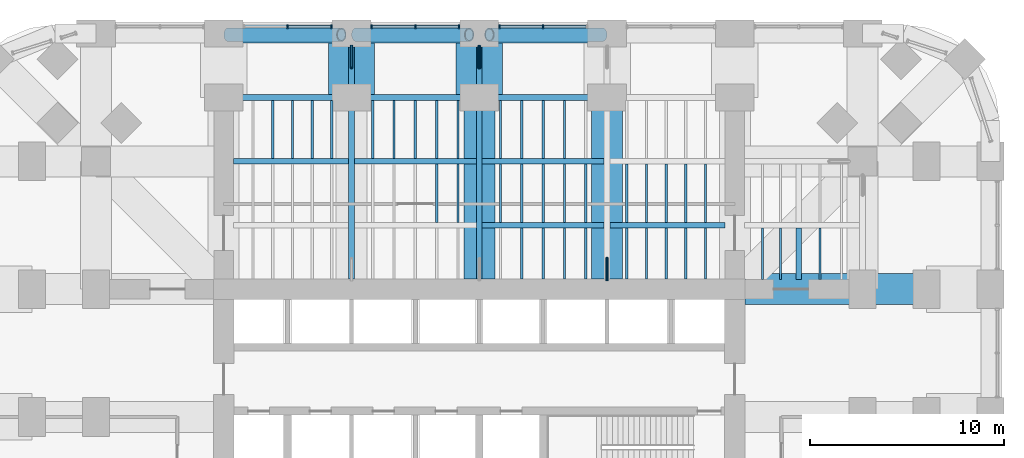
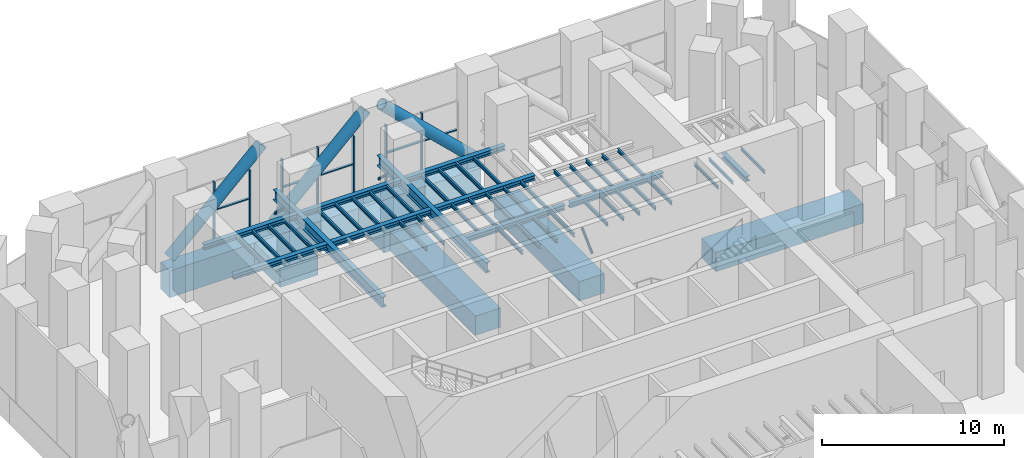
# One storey, part 8 of 17: 56 beams, 18 members, 3 elements without a shape of their own.
"""IFC4 building model written with IfcOpenShell, lengths in metres."""

from ifc_helpers import new_model, si_unit, direction, frame, origin, origin_2d, place, context, subcontext, project, spatial, rectangle, hollow_circle, i_section, extrude, material, material_profile, profile_set, type_object, element, aggregate, save


model = new_model("IFC4")

# Units and contexts
model_context = context("Model", 3, precision=1e-05, world=origin(), true_north=direction((0.0, 1.0)))
body_context = subcontext(model_context, "Body", "Model", "MODEL_VIEW")
ifc_project = project(units=[si_unit("LENGTHUNIT", "METRE"), si_unit("AREAUNIT", "SQUARE_METRE"), si_unit("VOLUMEUNIT", "CUBIC_METRE"), si_unit("PLANEANGLEUNIT", "RADIAN"), si_unit("MASSUNIT", "GRAM", prefix="KILO")], contexts=[model_context])

# Site, building, storey
site_placement = place(None, origin())
site = spatial("IfcSite", under=ifc_project, at=site_placement, CompositionType="ELEMENT")
building_placement = place(site_placement, origin())
building = spatial("IfcBuilding", under=site, at=building_placement, Name="Cobogo Forest Laboratory Tower", CompositionType="ELEMENT")
storey_placement = place(building_placement, frame((0.0, 0.0, 75.89990234375)))
storey = spatial("IfcBuildingStorey", under=building, at=storey_placement, Name="L17", CompositionType="ELEMENT", Elevation=75.89990234375)

# Members
ifc_material_1 = material(Name="Steel S460NH", Category="steel")
ifc_material_profile_1 = material_profile(ifc_material_1, hollow_circle(Radius=0.35546875, WallThickness=0.06005859375, at=origin_2d()), Name="CHS 711x60")
ifc_profile_set_1 = profile_set([ifc_material_profile_1], Name="Steel S460NH")
member_type_1 = type_object("IfcMemberType", Name="Belt truss diagonal CHS 711x60", PredefinedType="BRACE", material=ifc_profile_set_1)
for number, where, z_axis, x_axis, name in (
    (1, (13.449951171875, 46.139892578125, 0.23876953125), (0.723363796511, 0.0, 0.690467101242), (0.0, 1.0, 0.0), "BT1 belt truss diagonal N14 L17"),
    (2, (20.050048828125, 46.139892578125, 0.23876953125), (0.723349354665, 0.0, 0.69048223084), (0.0, 1.0, 0.0), "BT1 belt truss diagonal N15 L17"),
    (3, (32.75, 46.139892578125, 0.23876953125), (-0.723363796511, 0.0, 0.690467101242), (0.0, -1.0, 0.0), "BT1 belt truss diagonal N16 L17"),
):
    element("IfcMember", number, at=place(storey_placement, frame(where, z_axis=z_axis, x_axis=x_axis)), inside=storey, type_object=member_type_1, Name=name, PredefinedType="BRACE", context=body_context, shape_type="SweptSolid", body=[
        extrude(hollow_circle(Radius=0.35546875, WallThickness=0.06005859375, at=origin_2d()), origin(), (0.0, 0.0, 1.0), 8.0595703125),
    ])

# Curtain wall, members
ifc_material_2 = material(Name="Aluminium curtain wall", Category="aluminium")
curtain_wall_type = type_object("IfcCurtainWallType", Name="CW-P louvred curtain wall, plant floors", PredefinedType="USERDEFINED", material=ifc_material_2)
curtain_wall_1_placement = place(storey_placement, origin())
curtain_wall_1 = element("IfcCurtainWall", 4, at=curtain_wall_1_placement, inside=storey, type_object=curtain_wall_type, Name="Curtain wall 20 L17", ObjectType="LOUVRED CURTAIN WALL", PredefinedType="USERDEFINED")
ifc_material_3 = material(Name="Aluminium mullion", Category="aluminium")
ifc_material_profile_2 = material_profile(ifc_material_3, rectangle(XDim=0.080078125, YDim=0.199951171875, at=origin_2d()), Name="AL 80x200")
ifc_profile_set_2 = profile_set([ifc_material_profile_2], Name="Aluminium mullion")
member_type_2 = type_object("IfcMemberType", Name="MU-3 aluminium louvre mullion 80x200", PredefinedType="MULLION", material=ifc_profile_set_2)
member_1_placement = place(storey_placement, frame((29.699951171875, 46.550048828125, 0.0), z_axis=(0.0, 0.0, 1.0), x_axis=(-1.0, 0.0, 0.0)))
member_1 = element("IfcMember", 5, at=member_1_placement, type_object=member_type_2, Name="CW-P mullion 2", PredefinedType="MULLION", context=body_context, shape_type="SweptSolid", body=[
    extrude(rectangle(XDim=0.080078125, YDim=0.199951171875, at=origin_2d()), origin(), (0.0, 0.0, 1.0), 4.0),
])
member_2_placement = place(storey_placement, frame((27.43994140625, 46.550048828125, 0.0), z_axis=(0.0, 0.0, 1.0), x_axis=(-1.0, 0.0, 0.0)))
member_2 = element("IfcMember", 6, at=member_2_placement, type_object=member_type_2, Name="CW-P mullion 3", PredefinedType="MULLION", context=body_context, shape_type="SweptSolid", body=[
    extrude(rectangle(XDim=0.080078125, YDim=0.199951171875, at=origin_2d()), origin(), (0.0, 0.0, 1.0), 4.0),
])

curtain_wall_2_placement = place(storey_placement, origin())
curtain_wall_2 = element("IfcCurtainWall", 7, at=curtain_wall_2_placement, inside=storey, type_object=curtain_wall_type, Name="Curtain wall 21 L17", ObjectType="LOUVRED CURTAIN WALL", PredefinedType="USERDEFINED")
member_3_placement = place(storey_placement, frame((25.360107421875, 46.550048828125, 0.0), z_axis=(0.0, 0.0, 1.0), x_axis=(-1.0, 0.0, 0.0)))
member_3 = element("IfcMember", 8, at=member_3_placement, type_object=member_type_2, Name="CW-P mullion 1", PredefinedType="MULLION", context=body_context, shape_type="SweptSolid", body=[
    extrude(rectangle(XDim=0.080078125, YDim=0.199951171875, at=origin_2d()), origin(), (0.0, 0.0, 1.0), 4.0),
])
member_4_placement = place(storey_placement, frame((23.10009765625, 46.550048828125, 0.0), z_axis=(0.0, 0.0, 1.0), x_axis=(-1.0, 0.0, 0.0)))
member_4 = element("IfcMember", 9, at=member_4_placement, type_object=member_type_2, Name="CW-P mullion 2", PredefinedType="MULLION", context=body_context, shape_type="SweptSolid", body=[
    extrude(rectangle(XDim=0.080078125, YDim=0.199951171875, at=origin_2d()), origin(), (0.0, 0.0, 1.0), 4.0),
])
member_5_placement = place(storey_placement, frame((20.840087890625, 46.550048828125, 0.0), z_axis=(0.0, 0.0, 1.0), x_axis=(-1.0, 0.0, 0.0)))
member_5 = element("IfcMember", 10, at=member_5_placement, type_object=member_type_2, Name="CW-P mullion 3", PredefinedType="MULLION", context=body_context, shape_type="SweptSolid", body=[
    extrude(rectangle(XDim=0.080078125, YDim=0.199951171875, at=origin_2d()), origin(), (0.0, 0.0, 1.0), 4.0),
])

curtain_wall_3_placement = place(storey_placement, origin())
curtain_wall_3 = element("IfcCurtainWall", 11, at=curtain_wall_3_placement, inside=storey, type_object=curtain_wall_type, Name="Curtain wall 22 L17", ObjectType="LOUVRED CURTAIN WALL", PredefinedType="USERDEFINED")
member_6_placement = place(storey_placement, frame((18.760009765625, 46.550048828125, 0.0), z_axis=(0.0, 0.0, 1.0), x_axis=(-1.0, 0.0, 0.0)))
member_6 = element("IfcMember", 12, at=member_6_placement, type_object=member_type_2, Name="CW-P mullion 1", PredefinedType="MULLION", context=body_context, shape_type="SweptSolid", body=[
    extrude(rectangle(XDim=0.080078125, YDim=0.199951171875, at=origin_2d()), origin(), (0.0, 0.0, 1.0), 4.0),
])
member_7_placement = place(storey_placement, frame((16.5, 46.550048828125, 0.0), z_axis=(0.0, 0.0, 1.0), x_axis=(-1.0, 0.0, 0.0)))
member_7 = element("IfcMember", 13, at=member_7_placement, type_object=member_type_2, Name="CW-P mullion 2", PredefinedType="MULLION", context=body_context, shape_type="SweptSolid", body=[
    extrude(rectangle(XDim=0.080078125, YDim=0.199951171875, at=origin_2d()), origin(), (0.0, 0.0, 1.0), 4.0),
])

# Beams
ifc_material_4 = material(Name="Concrete HA-40 (C40/50)", Category="concrete")
ifc_material_profile_3 = material_profile(ifc_material_4, rectangle(XDim=1.60009765625, YDim=1.300048828125, at=origin_2d()), Name="RC 1600x1300")
ifc_profile_set_3 = profile_set([ifc_material_profile_3], Name="Concrete HA-40 (C40/50)")
beam_type_1 = type_object("IfcBeamType", Name="Plant and roof garden wide beam 1600x1300", PredefinedType="BEAM", material=ifc_profile_set_3)
for number, where, z_axis, x_axis, name in (
    (14, (26.39990234375, 33.52490234375, -1.0), (0.0, 1.0, 0.0), (-1.0, 0.0, 0.0), "RB4 R-5-N L17"),
    (15, (33.0, 33.52490234375, -1.0), (0.0, 1.0, 0.0), (-1.0, 0.0, 0.0), "RB4 R-6-N L17"),
    (16, (40.125, 33.0, -1.0), (1.0, 0.0, 0.0), (0.0, 1.0, 0.0), "RB4 R-F-E L17"),
):
    element("IfcBeam", number, at=place(storey_placement, frame(where, z_axis=z_axis, x_axis=x_axis)), inside=storey, type_object=beam_type_1, Name=name, PredefinedType="BEAM", context=body_context, shape_type="SweptSolid", body=[
        extrude(rectangle(XDim=1.60009765625, YDim=1.300048828125, at=origin_2d()), origin(), (0.0, 0.0, 1.0), 9.375),
    ])
ifc_material_5 = material(Name="Concrete HA-50 (C50/60)", Category="concrete")
ifc_material_profile_4 = material_profile(ifc_material_5, rectangle(XDim=2.39990234375, YDim=1.300048828125, at=origin_2d()), Name="RC 2400x1300")
ifc_profile_set_4 = profile_set([ifc_material_profile_4], Name="Concrete HA-50 (C50/60)")
beam_type_2 = type_object("IfcBeamType", Name="Plant floor end-bay beam 2400x1300", PredefinedType="BEAM", material=ifc_profile_set_4)
for number, where, z_axis, x_axis, name in (
    (17, (19.800048828125, 46.199951171875, -1.0), (0.0, -1.0, 0.0), (1.0, 0.0, 0.0), "RB6 R-4-N-X L17"),
    (18, (26.39990234375, 46.199951171875, -1.0), (0.0, -1.0, 0.0), (1.0, 0.0, 0.0), "RB6 R-5-N-X L17"),
):
    element("IfcBeam", number, at=place(storey_placement, frame(where, z_axis=z_axis, x_axis=x_axis)), inside=storey, type_object=beam_type_2, Name=name, PredefinedType="BEAM", context=body_context, shape_type="SweptSolid", body=[
        extrude(rectangle(XDim=2.39990234375, YDim=1.300048828125, at=origin_2d()), origin(), (0.0, 0.0, 1.0), 3.300048828125),
    ])
ifc_material_profile_5 = material_profile(ifc_material_4, rectangle(XDim=1.0, YDim=1.800048828125, at=origin_2d()), Name="RC 1000x1800")
ifc_profile_set_5 = profile_set([ifc_material_profile_5], Name="Concrete HA-40 (C40/50)")
beam_type_3 = type_object("IfcBeamType", Name="Plant floor perimeter girder 1000x1800", PredefinedType="BEAM", material=ifc_profile_set_5)
beam_1_placement = place(storey_placement, frame((13.199951171875, 46.199951171875, -1.25), z_axis=(1.0, 0.0, 0.0), x_axis=(0.0, 1.0, 0.0)))
element("IfcBeam", 19, at=beam_1_placement, inside=storey, type_object=beam_type_3, Name="TG1 E-N2 L17", PredefinedType="BEAM", context=body_context, shape_type="SweptSolid", body=[
    extrude(rectangle(XDim=1.0, YDim=1.800048828125, at=origin_2d()), origin(), (0.0, 0.0, 1.0), 6.60009765625),
])
beam_2_placement = place(storey_placement, frame((19.800048828125, 46.199951171875, -1.25), z_axis=(1.0, 0.0, 0.0), x_axis=(0.0, 1.0, 0.0)))
element("IfcBeam", 20, at=beam_2_placement, inside=storey, type_object=beam_type_3, Name="TG1 E-N3 L17", PredefinedType="BEAM", context=body_context, shape_type="SweptSolid", body=[
    extrude(rectangle(XDim=1.0, YDim=1.800048828125, at=origin_2d()), origin(), (0.0, 0.0, 1.0), 6.599853515625),
])
beam_3_placement = place(storey_placement, frame((26.39990234375, 46.199951171875, -1.25), z_axis=(1.0, 0.0, 0.0), x_axis=(0.0, 1.0, 0.0)))
element("IfcBeam", 21, at=beam_3_placement, inside=storey, type_object=beam_type_3, Name="TG1 E-N4 L17", PredefinedType="BEAM", context=body_context, shape_type="SweptSolid", body=[
    extrude(rectangle(XDim=1.0, YDim=1.800048828125, at=origin_2d()), origin(), (0.0, 0.0, 1.0), 6.60009765625),
])

# Members
ifc_material_6 = material(Name="Steel S355", Category="steel")
ifc_material_profile_6 = material_profile(ifc_material_6, hollow_circle(Radius=0.084228515625, WallThickness=0.008056640625, at=origin_2d()), Name="CHS 168.3x8")
ifc_profile_set_6 = profile_set([ifc_material_profile_6], Name="Steel S355")
member_type_3 = type_object("IfcMemberType", Name="Plant knee brace CHS 168.3x8", PredefinedType="BRACE", material=ifc_profile_set_6)
for number, where, z_axis, x_axis, name in (
    (22, (19.800048828125, 45.5595703125, 1.300048828125), (0.0, -0.727221301203, 0.686403073329), (1.0, 0.0, 0.0), "PX1 AHU-N knee brace 4-1 L17"),
    (23, (26.39990234375, 45.5595703125, 1.300048828125), (0.0, -0.727221301203, 0.686403073329), (1.0, 0.0, 0.0), "PX1 AHU-N knee brace 5-1 L17"),
    (24, (33.0, 33.465576171875, 1.300048828125), (0.0, 0.727221301203, 0.686403073329), (-1.0, 0.0, 0.0), "PX1 AHU-N knee brace 6-2 L17"),
):
    element("IfcMember", number, at=place(storey_placement, frame(where, z_axis=z_axis, x_axis=x_axis)), inside=storey, type_object=member_type_3, Name=name, PredefinedType="BRACE", context=body_context, shape_type="SweptSolid", body=[
        extrude(hollow_circle(Radius=0.084228515625, WallThickness=0.008056640625, at=origin_2d()), origin(), (0.0, 0.0, 1.0), 1.56103515625),
    ])

# Beams
ifc_material_profile_7 = material_profile(ifc_material_6, i_section(OverallWidth=0.300048828125, OverallDepth=0.330078125, WebThickness=0.009521484375, FlangeThickness=0.0166015625, FilletRadius=0.027099609375, at=origin_2d()), Name="HEA 340")
ifc_profile_set_7 = profile_set([ifc_material_profile_7], Name="Steel S355")
beam_type_4 = type_object("IfcBeamType", Name="Plant platform beam HEA 340", PredefinedType="BEAM", material=ifc_profile_set_7)
beam_4_placement = place(storey_placement, frame((13.699951171875, 42.89990234375, 2.835205078125), z_axis=(1.0, 0.0, 0.0), x_axis=(0.0, 1.0, 0.0)))
element("IfcBeam", 25, at=beam_4_placement, inside=storey, type_object=beam_type_4, Name="PB1 AHU-N platform beam 1 at 3300 L17", PredefinedType="BEAM", context=body_context, shape_type="SweptSolid", body=[
    extrude(i_section(OverallWidth=0.300048828125, OverallDepth=0.330078125, WebThickness=0.009521484375, FlangeThickness=0.0166015625, FilletRadius=0.027099609375, at=origin_2d()), origin(), (0.0, 0.0, 1.0), 5.949951171875),
])
for number, where, z_axis, x_axis, name in (
    (26, (19.949951171875, 42.89990234375, 2.835205078125), (1.0, 0.0, 0.0), (0.0, 1.0, 0.0), "PB1 AHU-N platform beam 2 at 3300 L17"),
    (27, (26.550048828125, 42.89990234375, 2.835205078125), (1.0, 0.0, 0.0), (0.0, 1.0, 0.0), "PB1 AHU-N platform beam 3 at 3300 L17"),
):
    element("IfcBeam", number, at=place(storey_placement, frame(where, z_axis=z_axis, x_axis=x_axis)), inside=storey, type_object=beam_type_4, Name=name, PredefinedType="BEAM", context=body_context, shape_type="SweptSolid", body=[
        extrude(i_section(OverallWidth=0.300048828125, OverallDepth=0.330078125, WebThickness=0.009521484375, FlangeThickness=0.0166015625, FilletRadius=0.027099609375, at=origin_2d()), origin(), (0.0, 0.0, 1.0), 6.300048828125),
    ])
beam_5_placement = place(storey_placement, frame((13.699951171875, 39.60009765625, 2.835205078125), z_axis=(1.0, 0.0, 0.0), x_axis=(0.0, 1.0, 0.0)))
element("IfcBeam", 28, at=beam_5_placement, inside=storey, type_object=beam_type_4, Name="PB1 AHU-N platform beam 1 at 6600 L17", PredefinedType="BEAM", context=body_context, shape_type="SweptSolid", body=[
    extrude(i_section(OverallWidth=0.300048828125, OverallDepth=0.330078125, WebThickness=0.009521484375, FlangeThickness=0.0166015625, FilletRadius=0.027099609375, at=origin_2d()), origin(), (0.0, 0.0, 1.0), 5.949951171875),
])
for number, where, z_axis, x_axis, name in (
    (29, (19.949951171875, 39.60009765625, 2.835205078125), (1.0, 0.0, 0.0), (0.0, 1.0, 0.0), "PB1 AHU-N platform beam 2 at 6600 L17"),
    (30, (26.550048828125, 39.60009765625, 2.835205078125), (1.0, 0.0, 0.0), (0.0, 1.0, 0.0), "PB1 AHU-N platform beam 3 at 6600 L17"),
    (31, (26.550048828125, 36.300048828125, 2.835205078125), (1.0, 0.0, 0.0), (0.0, 1.0, 0.0), "PB1 AHU-N platform beam 3 at 9900 L17"),
):
    element("IfcBeam", number, at=place(storey_placement, frame(where, z_axis=z_axis, x_axis=x_axis)), inside=storey, type_object=beam_type_4, Name=name, PredefinedType="BEAM", context=body_context, shape_type="SweptSolid", body=[
        extrude(i_section(OverallWidth=0.300048828125, OverallDepth=0.330078125, WebThickness=0.009521484375, FlangeThickness=0.0166015625, FilletRadius=0.027099609375, at=origin_2d()), origin(), (0.0, 0.0, 1.0), 6.300048828125),
    ])
beam_6_placement = place(storey_placement, frame((33.14990234375, 36.300048828125, 2.835205078125), z_axis=(1.0, 0.0, 0.0), x_axis=(0.0, 1.0, 0.0)))
element("IfcBeam", 32, at=beam_6_placement, inside=storey, type_object=beam_type_4, Name="PB1 AHU-N platform beam 4 at 9900 L17", PredefinedType="BEAM", context=body_context, shape_type="SweptSolid", body=[
    extrude(i_section(OverallWidth=0.300048828125, OverallDepth=0.330078125, WebThickness=0.009521484375, FlangeThickness=0.0166015625, FilletRadius=0.027099609375, at=origin_2d()), origin(), (0.0, 0.0, 1.0), 5.9501953125),
])
ifc_material_profile_8 = material_profile(ifc_material_6, i_section(OverallWidth=0.300048828125, OverallDepth=0.699951171875, WebThickness=0.01708984375, FlangeThickness=0.031982421875, FilletRadius=0.027099609375, at=origin_2d()), Name="HEB 700")
ifc_profile_set_8 = profile_set([ifc_material_profile_8], Name="Steel S355")
beam_type_5 = type_object("IfcBeamType", Name="Plant platform girder HEB 700", PredefinedType="BEAM", material=ifc_profile_set_8)
for number, where, z_axis, x_axis, name in (
    (33, (19.800048828125, 45.5, 2.650146484375), (0.0, -1.0, 0.0), (1.0, 0.0, 0.0), "PG1 AHU-N girder 4 L17"),
    (34, (26.39990234375, 45.5, 2.650146484375), (0.0, -1.0, 0.0), (1.0, 0.0, 0.0), "PG1 AHU-N girder 5 L17"),
):
    element("IfcBeam", number, at=place(storey_placement, frame(where, z_axis=z_axis, x_axis=x_axis)), inside=storey, type_object=beam_type_5, Name=name, PredefinedType="BEAM", context=body_context, shape_type="SweptSolid", body=[
        extrude(i_section(OverallWidth=0.300048828125, OverallDepth=0.699951171875, WebThickness=0.01708984375, FlangeThickness=0.031982421875, FilletRadius=0.027099609375, at=origin_2d()), origin(), (0.0, 0.0, 1.0), 11.97509765625),
    ])
ifc_material_profile_9 = material_profile(ifc_material_6, i_section(OverallWidth=0.1201171875, OverallDepth=0.239990234375, WebThickness=0.006103515625, FlangeThickness=0.009765625, FilletRadius=0.014892578125, at=origin_2d()), Name="IPE 240")
ifc_profile_set_9 = profile_set([ifc_material_profile_9], Name="Steel S355")
beam_type_6 = type_object("IfcBeamType", Name="Plant platform joist IPE 240", PredefinedType="JOIST", material=ifc_profile_set_9)
for number, where, z_axis, x_axis, name in (
    (35, (15.7333984375, 42.75, 2.880126953125), (0.0, -1.0, 0.0), (1.0, 0.0, 0.0), "PJ1 AHU-N joist 1.2 row 1 L17"),
    (36, (16.75, 42.75, 2.880126953125), (0.0, -1.0, 0.0), (1.0, 0.0, 0.0), "PJ1 AHU-N joist 1.3 row 1 L17"),
    (37, (17.7666015625, 42.75, 2.880126953125), (0.0, -1.0, 0.0), (1.0, 0.0, 0.0), "PJ1 AHU-N joist 1.4 row 1 L17"),
    (38, (18.783447265625, 42.75, 2.880126953125), (0.0, -1.0, 0.0), (1.0, 0.0, 0.0), "PJ1 AHU-N joist 1.5 row 1 L17"),
    (39, (20.89990234375, 42.75, 2.880126953125), (0.0, -1.0, 0.0), (1.0, 0.0, 0.0), "PJ1 AHU-N joist 2.1 row 1 L17"),
    (40, (22.0, 42.75, 2.880126953125), (0.0, -1.0, 0.0), (1.0, 0.0, 0.0), "PJ1 AHU-N joist 2.2 row 1 L17"),
    (41, (23.10009765625, 42.75, 2.880126953125), (0.0, -1.0, 0.0), (1.0, 0.0, 0.0), "PJ1 AHU-N joist 2.3 row 1 L17"),
    (42, (24.199951171875, 42.75, 2.880126953125), (0.0, -1.0, 0.0), (1.0, 0.0, 0.0), "PJ1 AHU-N joist 2.4 row 1 L17"),
    (43, (24.199951171875, 39.449951171875, 2.880126953125), (0.0, -1.0, 0.0), (1.0, 0.0, 0.0), "PJ1 AHU-N joist 2.4 row 2 L17"),
    (44, (25.300048828125, 42.75, 2.880126953125), (0.0, -1.0, 0.0), (1.0, 0.0, 0.0), "PJ1 AHU-N joist 2.5 row 1 L17"),
    (45, (25.300048828125, 39.449951171875, 2.880126953125), (0.0, -1.0, 0.0), (1.0, 0.0, 0.0), "PJ1 AHU-N joist 2.5 row 2 L17"),
    (46, (27.5, 42.75, 2.880126953125), (0.0, -1.0, 0.0), (1.0, 0.0, 0.0), "PJ1 AHU-N joist 3.1 row 1 L17"),
    (47, (27.5, 39.449951171875, 2.880126953125), (0.0, -1.0, 0.0), (1.0, 0.0, 0.0), "PJ1 AHU-N joist 3.1 row 2 L17"),
    (48, (28.60009765625, 42.75, 2.880126953125), (0.0, -1.0, 0.0), (1.0, 0.0, 0.0), "PJ1 AHU-N joist 3.2 row 1 L17"),
    (49, (28.60009765625, 39.449951171875, 2.880126953125), (0.0, -1.0, 0.0), (1.0, 0.0, 0.0), "PJ1 AHU-N joist 3.2 row 2 L17"),
):
    element("IfcBeam", number, at=place(storey_placement, frame(where, z_axis=z_axis, x_axis=x_axis)), inside=storey, type_object=beam_type_6, Name=name, PredefinedType="JOIST", context=body_context, shape_type="SweptSolid", body=[
        extrude(i_section(OverallWidth=0.1201171875, OverallDepth=0.239990234375, WebThickness=0.006103515625, FlangeThickness=0.009765625, FilletRadius=0.014892578125, at=origin_2d()), origin(), (0.0, 0.0, 1.0), 3.0),
    ])
beam_7_placement = place(storey_placement, frame((28.60009765625, 36.14990234375, 2.880126953125), z_axis=(0.0, -1.0, 0.0), x_axis=(1.0, 0.0, 0.0)))
element("IfcBeam", 50, at=beam_7_placement, inside=storey, type_object=beam_type_6, Name="PJ1 AHU-N joist 3.2 row 3 L17", PredefinedType="JOIST", context=body_context, shape_type="SweptSolid", body=[
    extrude(i_section(OverallWidth=0.1201171875, OverallDepth=0.239990234375, WebThickness=0.006103515625, FlangeThickness=0.009765625, FilletRadius=0.014892578125, at=origin_2d()), origin(), (0.0, 0.0, 1.0), 2.625),
])
for number, where, z_axis, x_axis, name in (
    (51, (29.699951171875, 42.75, 2.880126953125), (0.0, -1.0, 0.0), (1.0, 0.0, 0.0), "PJ1 AHU-N joist 3.3 row 1 L17"),
    (52, (29.699951171875, 39.449951171875, 2.880126953125), (0.0, -1.0, 0.0), (1.0, 0.0, 0.0), "PJ1 AHU-N joist 3.3 row 2 L17"),
):
    element("IfcBeam", number, at=place(storey_placement, frame(where, z_axis=z_axis, x_axis=x_axis)), inside=storey, type_object=beam_type_6, Name=name, PredefinedType="JOIST", context=body_context, shape_type="SweptSolid", body=[
        extrude(i_section(OverallWidth=0.1201171875, OverallDepth=0.239990234375, WebThickness=0.006103515625, FlangeThickness=0.009765625, FilletRadius=0.014892578125, at=origin_2d()), origin(), (0.0, 0.0, 1.0), 3.0),
    ])
beam_8_placement = place(storey_placement, frame((29.699951171875, 36.14990234375, 2.880126953125), z_axis=(0.0, -1.0, 0.0), x_axis=(1.0, 0.0, 0.0)))
element("IfcBeam", 53, at=beam_8_placement, inside=storey, type_object=beam_type_6, Name="PJ1 AHU-N joist 3.3 row 3 L17", PredefinedType="JOIST", context=body_context, shape_type="SweptSolid", body=[
    extrude(i_section(OverallWidth=0.1201171875, OverallDepth=0.239990234375, WebThickness=0.006103515625, FlangeThickness=0.009765625, FilletRadius=0.014892578125, at=origin_2d()), origin(), (0.0, 0.0, 1.0), 2.625),
])
for number, where, z_axis, x_axis, name in (
    (54, (30.800048828125, 42.75, 2.880126953125), (0.0, -1.0, 0.0), (1.0, 0.0, 0.0), "PJ1 AHU-N joist 3.4 row 1 L17"),
    (55, (30.800048828125, 39.449951171875, 2.880126953125), (0.0, -1.0, 0.0), (1.0, 0.0, 0.0), "PJ1 AHU-N joist 3.4 row 2 L17"),
):
    element("IfcBeam", number, at=place(storey_placement, frame(where, z_axis=z_axis, x_axis=x_axis)), inside=storey, type_object=beam_type_6, Name=name, PredefinedType="JOIST", context=body_context, shape_type="SweptSolid", body=[
        extrude(i_section(OverallWidth=0.1201171875, OverallDepth=0.239990234375, WebThickness=0.006103515625, FlangeThickness=0.009765625, FilletRadius=0.014892578125, at=origin_2d()), origin(), (0.0, 0.0, 1.0), 3.0),
    ])
beam_9_placement = place(storey_placement, frame((30.800048828125, 36.14990234375, 2.880126953125), z_axis=(0.0, -1.0, 0.0), x_axis=(1.0, 0.0, 0.0)))
element("IfcBeam", 56, at=beam_9_placement, inside=storey, type_object=beam_type_6, Name="PJ1 AHU-N joist 3.4 row 3 L17", PredefinedType="JOIST", context=body_context, shape_type="SweptSolid", body=[
    extrude(i_section(OverallWidth=0.1201171875, OverallDepth=0.239990234375, WebThickness=0.006103515625, FlangeThickness=0.009765625, FilletRadius=0.014892578125, at=origin_2d()), origin(), (0.0, 0.0, 1.0), 2.625),
])
beam_10_placement = place(storey_placement, frame((31.89990234375, 39.449951171875, 2.880126953125), z_axis=(0.0, -1.0, 0.0), x_axis=(1.0, 0.0, 0.0)))
element("IfcBeam", 57, at=beam_10_placement, inside=storey, type_object=beam_type_6, Name="PJ1 AHU-N joist 3.5 row 2 L17", PredefinedType="JOIST", context=body_context, shape_type="SweptSolid", body=[
    extrude(i_section(OverallWidth=0.1201171875, OverallDepth=0.239990234375, WebThickness=0.006103515625, FlangeThickness=0.009765625, FilletRadius=0.014892578125, at=origin_2d()), origin(), (0.0, 0.0, 1.0), 3.0),
])
beam_11_placement = place(storey_placement, frame((31.89990234375, 36.14990234375, 2.880126953125), z_axis=(0.0, -1.0, 0.0), x_axis=(1.0, 0.0, 0.0)))
element("IfcBeam", 58, at=beam_11_placement, inside=storey, type_object=beam_type_6, Name="PJ1 AHU-N joist 3.5 row 3 L17", PredefinedType="JOIST", context=body_context, shape_type="SweptSolid", body=[
    extrude(i_section(OverallWidth=0.1201171875, OverallDepth=0.239990234375, WebThickness=0.006103515625, FlangeThickness=0.009765625, FilletRadius=0.014892578125, at=origin_2d()), origin(), (0.0, 0.0, 1.0), 2.625),
])
beam_12_placement = place(storey_placement, frame((34.0166015625, 39.449951171875, 2.880126953125), z_axis=(0.0, -1.0, 0.0), x_axis=(1.0, 0.0, 0.0)))
element("IfcBeam", 59, at=beam_12_placement, inside=storey, type_object=beam_type_6, Name="PJ1 AHU-N joist 4.1 row 2 L17", PredefinedType="JOIST", context=body_context, shape_type="SweptSolid", body=[
    extrude(i_section(OverallWidth=0.1201171875, OverallDepth=0.239990234375, WebThickness=0.006103515625, FlangeThickness=0.009765625, FilletRadius=0.014892578125, at=origin_2d()), origin(), (0.0, 0.0, 1.0), 3.0),
])
beam_13_placement = place(storey_placement, frame((34.0166015625, 36.14990234375, 2.880126953125), z_axis=(0.0, -1.0, 0.0), x_axis=(1.0, 0.0, 0.0)))
element("IfcBeam", 60, at=beam_13_placement, inside=storey, type_object=beam_type_6, Name="PJ1 AHU-N joist 4.1 row 3 L17", PredefinedType="JOIST", context=body_context, shape_type="SweptSolid", body=[
    extrude(i_section(OverallWidth=0.1201171875, OverallDepth=0.239990234375, WebThickness=0.006103515625, FlangeThickness=0.009765625, FilletRadius=0.014892578125, at=origin_2d()), origin(), (0.0, 0.0, 1.0), 2.625),
])
beam_14_placement = place(storey_placement, frame((35.033447265625, 39.449951171875, 2.880126953125), z_axis=(0.0, -1.0, 0.0), x_axis=(1.0, 0.0, 0.0)))
element("IfcBeam", 61, at=beam_14_placement, inside=storey, type_object=beam_type_6, Name="PJ1 AHU-N joist 4.2 row 2 L17", PredefinedType="JOIST", context=body_context, shape_type="SweptSolid", body=[
    extrude(i_section(OverallWidth=0.1201171875, OverallDepth=0.239990234375, WebThickness=0.006103515625, FlangeThickness=0.009765625, FilletRadius=0.014892578125, at=origin_2d()), origin(), (0.0, 0.0, 1.0), 3.0),
])
beam_15_placement = place(storey_placement, frame((35.033447265625, 36.14990234375, 2.880126953125), z_axis=(0.0, -1.0, 0.0), x_axis=(1.0, 0.0, 0.0)))
element("IfcBeam", 62, at=beam_15_placement, inside=storey, type_object=beam_type_6, Name="PJ1 AHU-N joist 4.2 row 3 L17", PredefinedType="JOIST", context=body_context, shape_type="SweptSolid", body=[
    extrude(i_section(OverallWidth=0.1201171875, OverallDepth=0.239990234375, WebThickness=0.006103515625, FlangeThickness=0.009765625, FilletRadius=0.014892578125, at=origin_2d()), origin(), (0.0, 0.0, 1.0), 2.625),
])
beam_16_placement = place(storey_placement, frame((36.050048828125, 39.449951171875, 2.880126953125), z_axis=(0.0, -1.0, 0.0), x_axis=(1.0, 0.0, 0.0)))
element("IfcBeam", 63, at=beam_16_placement, inside=storey, type_object=beam_type_6, Name="PJ1 AHU-N joist 4.3 row 2 L17", PredefinedType="JOIST", context=body_context, shape_type="SweptSolid", body=[
    extrude(i_section(OverallWidth=0.1201171875, OverallDepth=0.239990234375, WebThickness=0.006103515625, FlangeThickness=0.009765625, FilletRadius=0.014892578125, at=origin_2d()), origin(), (0.0, 0.0, 1.0), 3.0),
])
beam_17_placement = place(storey_placement, frame((36.050048828125, 36.14990234375, 2.880126953125), z_axis=(0.0, -1.0, 0.0), x_axis=(1.0, 0.0, 0.0)))
element("IfcBeam", 64, at=beam_17_placement, inside=storey, type_object=beam_type_6, Name="PJ1 AHU-N joist 4.3 row 3 L17", PredefinedType="JOIST", context=body_context, shape_type="SweptSolid", body=[
    extrude(i_section(OverallWidth=0.1201171875, OverallDepth=0.239990234375, WebThickness=0.006103515625, FlangeThickness=0.009765625, FilletRadius=0.014892578125, at=origin_2d()), origin(), (0.0, 0.0, 1.0), 2.625),
])
beam_18_placement = place(storey_placement, frame((37.066650390625, 39.449951171875, 2.880126953125), z_axis=(0.0, -1.0, 0.0), x_axis=(1.0, 0.0, 0.0)))
element("IfcBeam", 65, at=beam_18_placement, inside=storey, type_object=beam_type_6, Name="PJ1 AHU-N joist 4.4 row 2 L17", PredefinedType="JOIST", context=body_context, shape_type="SweptSolid", body=[
    extrude(i_section(OverallWidth=0.1201171875, OverallDepth=0.239990234375, WebThickness=0.006103515625, FlangeThickness=0.009765625, FilletRadius=0.014892578125, at=origin_2d()), origin(), (0.0, 0.0, 1.0), 3.0),
])
beam_19_placement = place(storey_placement, frame((37.066650390625, 36.14990234375, 2.880126953125), z_axis=(0.0, -1.0, 0.0), x_axis=(1.0, 0.0, 0.0)))
element("IfcBeam", 66, at=beam_19_placement, inside=storey, type_object=beam_type_6, Name="PJ1 AHU-N joist 4.4 row 3 L17", PredefinedType="JOIST", context=body_context, shape_type="SweptSolid", body=[
    extrude(i_section(OverallWidth=0.1201171875, OverallDepth=0.239990234375, WebThickness=0.006103515625, FlangeThickness=0.009765625, FilletRadius=0.014892578125, at=origin_2d()), origin(), (0.0, 0.0, 1.0), 2.625),
])
beam_20_placement = place(storey_placement, frame((38.083251953125, 39.449951171875, 2.880126953125), z_axis=(0.0, -1.0, 0.0), x_axis=(1.0, 0.0, 0.0)))
element("IfcBeam", 67, at=beam_20_placement, inside=storey, type_object=beam_type_6, Name="PJ1 AHU-N joist 4.5 row 2 L17", PredefinedType="JOIST", context=body_context, shape_type="SweptSolid", body=[
    extrude(i_section(OverallWidth=0.1201171875, OverallDepth=0.239990234375, WebThickness=0.006103515625, FlangeThickness=0.009765625, FilletRadius=0.014892578125, at=origin_2d()), origin(), (0.0, 0.0, 1.0), 3.0),
])
beam_21_placement = place(storey_placement, frame((38.083251953125, 36.14990234375, 2.880126953125), z_axis=(0.0, -1.0, 0.0), x_axis=(1.0, 0.0, 0.0)))
element("IfcBeam", 68, at=beam_21_placement, inside=storey, type_object=beam_type_6, Name="PJ1 AHU-N joist 4.5 row 3 L17", PredefinedType="JOIST", context=body_context, shape_type="SweptSolid", body=[
    extrude(i_section(OverallWidth=0.1201171875, OverallDepth=0.239990234375, WebThickness=0.006103515625, FlangeThickness=0.009765625, FilletRadius=0.014892578125, at=origin_2d()), origin(), (0.0, 0.0, 1.0), 2.625),
])
ifc_material_profile_10 = material_profile(ifc_material_6, i_section(OverallWidth=0.300048828125, OverallDepth=0.320068359375, WebThickness=0.011474609375, FlangeThickness=0.0205078125, FilletRadius=0.027099609375, at=origin_2d()), Name="HEB 320")
ifc_profile_set_10 = profile_set([ifc_material_profile_10], Name="Steel S355")
beam_type_7 = type_object("IfcBeamType", Name="Plant support frame beam HEB 320", PredefinedType="BEAM", material=ifc_profile_set_10)
beam_22_placement = place(storey_placement, frame((42.89990234375, 36.14990234375, 2.840087890625), z_axis=(0.0, -1.0, 0.0), x_axis=(1.0, 0.0, 0.0)))
element("IfcBeam", 69, at=beam_22_placement, inside=storey, type_object=beam_type_7, Name="PF1 PF-NE beam Y2-2 L17", PredefinedType="BEAM", context=body_context, shape_type="SweptSolid", body=[
    extrude(i_section(OverallWidth=0.300048828125, OverallDepth=0.320068359375, WebThickness=0.011474609375, FlangeThickness=0.0205078125, FilletRadius=0.027099609375, at=origin_2d()), origin(), (0.0, 0.0, 1.0), 2.64990234375),
])
ifc_material_profile_11 = material_profile(ifc_material_6, i_section(OverallWidth=0.10009765625, OverallDepth=0.199951171875, WebThickness=0.005615234375, FlangeThickness=0.008544921875, FilletRadius=0.011962890625, at=origin_2d()), Name="IPE 200")
ifc_profile_set_11 = profile_set([ifc_material_profile_11], Name="Steel S355")
beam_type_8 = type_object("IfcBeamType", Name="Plant support frame joist IPE 200", PredefinedType="JOIST", material=ifc_profile_set_11)
for number, where, z_axis, x_axis, name in (
    (70, (44.0, 36.14990234375, 2.900146484375), (0.0, -1.0, 0.0), (1.0, 0.0, 0.0), "PJ3 PF-NE joist 12.2 L17"),
    (71, (41.966552734375, 36.14990234375, 2.900146484375), (0.0, -1.0, 0.0), (1.0, 0.0, 0.0), "PJ3 PF-NE joist 22.1 L17"),
    (72, (41.033447265625, 36.14990234375, 2.900146484375), (0.0, -1.0, 0.0), (1.0, 0.0, 0.0), "PJ3 PF-NE joist 22.2 L17"),
):
    element("IfcBeam", number, at=place(storey_placement, frame(where, z_axis=z_axis, x_axis=x_axis)), inside=storey, type_object=beam_type_8, Name=name, PredefinedType="JOIST", context=body_context, shape_type="SweptSolid", body=[
        extrude(i_section(OverallWidth=0.10009765625, OverallDepth=0.199951171875, WebThickness=0.005615234375, FlangeThickness=0.008544921875, FilletRadius=0.011962890625, at=origin_2d()), origin(), (0.0, 0.0, 1.0), 2.64990234375),
    ])

# Member
ifc_material_7 = material(Name="Aluminium transom", Category="aluminium")
ifc_material_profile_12 = material_profile(ifc_material_7, rectangle(XDim=0.14990234375, YDim=0.080078125, at=origin_2d()), Name="AL 80x150")
ifc_profile_set_12 = profile_set([ifc_material_profile_12], Name="Aluminium transom")
member_type_4 = type_object("IfcMemberType", Name="TR-2 aluminium louvre transom 80x150", PredefinedType="USERDEFINED", material=ifc_profile_set_12)
member_8_placement = place(storey_placement, frame((31.919921875, 46.550048828125, 2.10009765625), z_axis=(-1.0, 0.0, 0.0), x_axis=(0.0, -1.0, 0.0)))
member_8 = element("IfcMember", 73, at=member_8_placement, type_object=member_type_4, Name="CW-P transom 1.1", ObjectType="TRANSOM", PredefinedType="USERDEFINED", context=body_context, shape_type="SweptSolid", body=[
    extrude(rectangle(XDim=0.14990234375, YDim=0.080078125, at=origin_2d()), origin(), (0.0, 0.0, 1.0), 2.179931640625),
])

member_9_placement = place(storey_placement, frame((29.659912109375, 46.550048828125, 2.10009765625), z_axis=(-1.0, 0.0, 0.0), x_axis=(0.0, -1.0, 0.0)))
member_9 = element("IfcMember", 74, at=member_9_placement, type_object=member_type_4, Name="CW-P transom 2.1", ObjectType="TRANSOM", PredefinedType="USERDEFINED", context=body_context, shape_type="SweptSolid", body=[
    extrude(rectangle(XDim=0.14990234375, YDim=0.080078125, at=origin_2d()), origin(), (0.0, 0.0, 1.0), 2.179931640625),
])

aggregate(curtain_wall_1, [member_1, member_2, member_8, member_9])

member_10_placement = place(storey_placement, frame((25.320068359375, 46.550048828125, 2.10009765625), z_axis=(-1.0, 0.0, 0.0), x_axis=(0.0, -1.0, 0.0)))
member_10 = element("IfcMember", 75, at=member_10_placement, type_object=member_type_4, Name="CW-P transom 1.1", ObjectType="TRANSOM", PredefinedType="USERDEFINED", context=body_context, shape_type="SweptSolid", body=[
    extrude(rectangle(XDim=0.14990234375, YDim=0.080078125, at=origin_2d()), origin(), (0.0, 0.0, 1.0), 2.18017578125),
])

member_11_placement = place(storey_placement, frame((23.06005859375, 46.550048828125, 2.10009765625), z_axis=(-1.0, 0.0, 0.0), x_axis=(0.0, -1.0, 0.0)))
member_11 = element("IfcMember", 76, at=member_11_placement, type_object=member_type_4, Name="CW-P transom 2.1", ObjectType="TRANSOM", PredefinedType="USERDEFINED", context=body_context, shape_type="SweptSolid", body=[
    extrude(rectangle(XDim=0.14990234375, YDim=0.080078125, at=origin_2d()), origin(), (0.0, 0.0, 1.0), 2.18017578125),
])

aggregate(curtain_wall_2, [member_3, member_4, member_5, member_10, member_11])

member_12_placement = place(storey_placement, frame((18.719970703125, 46.550048828125, 2.10009765625), z_axis=(-1.0, 0.0, 0.0), x_axis=(0.0, -1.0, 0.0)))
member_12 = element("IfcMember", 77, at=member_12_placement, type_object=member_type_4, Name="CW-P transom 1.1", ObjectType="TRANSOM", PredefinedType="USERDEFINED", context=body_context, shape_type="SweptSolid", body=[
    extrude(rectangle(XDim=0.14990234375, YDim=0.080078125, at=origin_2d()), origin(), (0.0, 0.0, 1.0), 2.179931640625),
])

aggregate(curtain_wall_3, [member_6, member_7, member_12])

save(model, "model.ifc")
